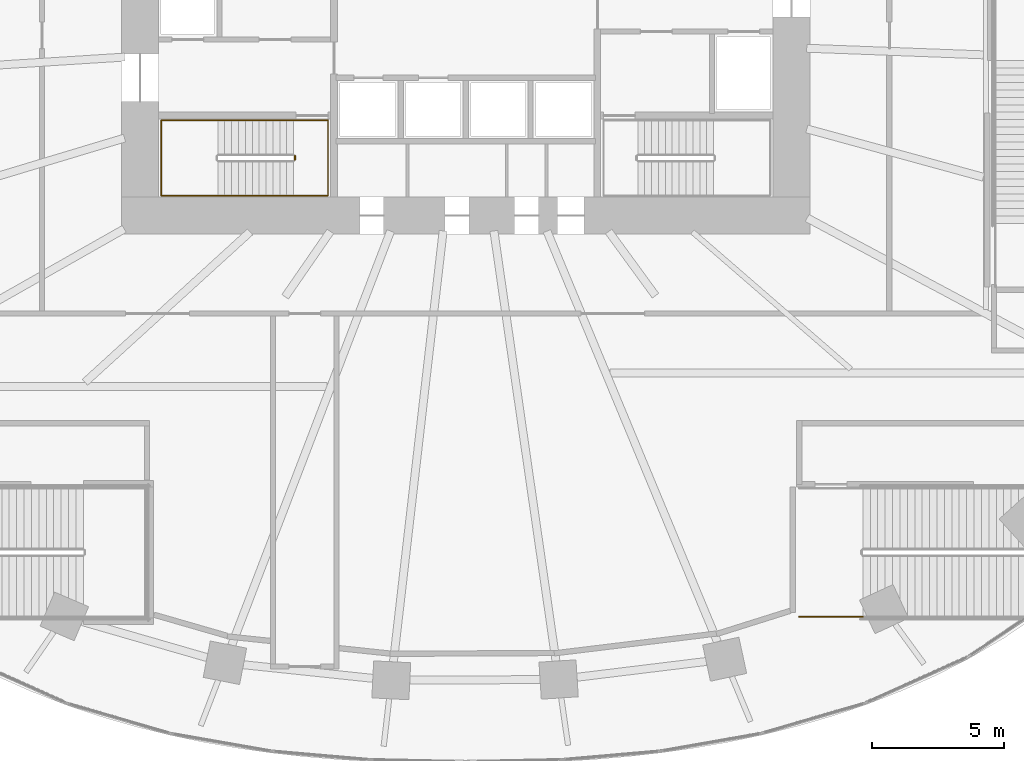
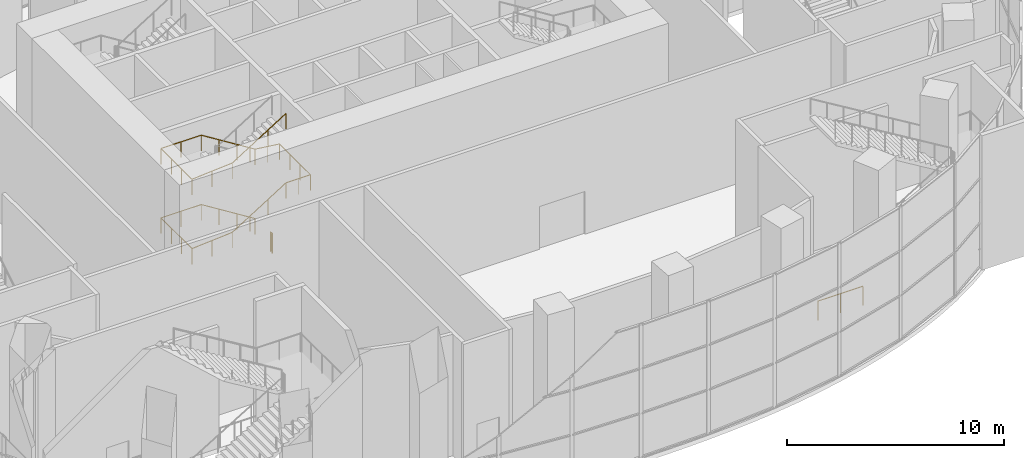
# One storey, part 19 of 22: 3 railings.
"""IFC4 building model written with IfcOpenShell, lengths in metres."""

import ifcopenshell
import ifcopenshell.guid

model = None  # the IFC model being written
_history = None  # IfcOwnerHistory: only IFC2X3 demands one
_inside = {}  # id of a spatial element -> (the spatial element, [elements in it])
_under = {}  # id of a project, library or spatial element -> (it, [spatial elements below it])
_declared = {}  # id of a project -> (the project, [libraries it declares])
_typed = {}  # id of a type object -> (the type object, [elements of that type])
_made_of = {}  # id of a material, layer set ... -> (it, [elements and type objects made of it])


def new_model(schema):
    """Start an empty IFC model of exactly this schema.

    Asked for "IFC4X3", IfcOpenShell would pick the latest addendum, in which some entities
    have other attributes; the version numbers below select the first issue.
    IFC2X3 requires an IfcOwnerHistory on every rooted entity: one is made here for all.
    """
    global model, _history
    if schema == "IFC4X3":
        model = ifcopenshell.file(schema_version=(4, 3, 0, 0))
    else:
        model = ifcopenshell.file(schema=schema)
    _inside.clear()
    _under.clear()
    _declared.clear()
    _typed.clear()
    _made_of.clear()
    _history = None
    if model.schema == "IFC2X3":
        org = make("IfcOrganization", Name="unknown")
        user = make(
            "IfcPersonAndOrganization",
            ThePerson=make("IfcPerson", FamilyName="unknown"),
            TheOrganization=org,
        )
        app = make(
            "IfcApplication",
            ApplicationDeveloper=org,
            Version="unknown",
            ApplicationFullName="unknown",
            ApplicationIdentifier="unknown",
        )
        _history = make(
            "IfcOwnerHistory",
            OwningUser=user,
            OwningApplication=app,
            ChangeAction="ADDED",
            CreationDate=0,
        )
    return model


def make(cls, **values):
    """One entity of the class cls with the attributes given. An attribute that is None is left unset."""
    return model.create_entity(
        cls, **{name: value for name, value in values.items() if value is not None}
    )


def rooted(cls, **values):
    """An entity with a GlobalId (a new one), such as an element, a storey or a relation."""
    return make(cls, GlobalId=ifcopenshell.guid.new(), OwnerHistory=_history, **values)


def si_unit(unit_type, name, prefix=None):
    """IfcSIUnit, for example si_unit("LENGTHUNIT", "METRE", prefix="MILLI")."""
    return make("IfcSIUnit", UnitType=unit_type, Prefix=prefix, Name=name)


def assignment(units):
    """IfcUnitAssignment: the units of a project."""
    return None if units is None else make("IfcUnitAssignment", Units=units)


def point(xyz):
    """IfcCartesianPoint."""
    return None if xyz is None else make("IfcCartesianPoint", Coordinates=xyz)


def direction(xyz):
    """IfcDirection."""
    return None if xyz is None else make("IfcDirection", DirectionRatios=xyz)


def frame(location, z_axis=None, x_axis=None):
    """IfcAxis2Placement3D, a coordinate frame: its origin and axes. An axis left out is left unset."""
    return make(
        "IfcAxis2Placement3D",
        Location=point(location),
        Axis=direction(z_axis),
        RefDirection=direction(x_axis),
    )


def frame_2d(location, x_axis=None):
    """IfcAxis2Placement2D, a coordinate frame in the plane: its origin and x axis."""
    return make(
        "IfcAxis2Placement2D", Location=point(location), RefDirection=direction(x_axis)
    )


def origin():
    """The frame at (0, 0, 0) with its axes left unset."""
    return frame((0.0, 0.0, 0.0))


def origin_2d():
    """The frame at (0, 0) in the plane with its x axis left unset."""
    return frame_2d((0.0, 0.0))


def place(relative_to, where):
    """IfcLocalPlacement: puts the frame where relative to a parent placement (None: the world)."""
    return make(
        "IfcLocalPlacement", PlacementRelTo=relative_to, RelativePlacement=where
    )


def context(
    kind, dimensions, precision=None, world=None, true_north=None, identifier=None
):
    """IfcGeometricRepresentationContext, for example the 3D "Model" context."""
    return make(
        "IfcGeometricRepresentationContext",
        ContextIdentifier=identifier,
        ContextType=kind,
        CoordinateSpaceDimension=dimensions,
        Precision=precision,
        WorldCoordinateSystem=world,
        TrueNorth=true_north,
    )


def subcontext(parent, identifier, kind, view, scale=None):
    """IfcGeometricRepresentationSubContext, for example "Body" below "Model"."""
    return make(
        "IfcGeometricRepresentationSubContext",
        ContextIdentifier=identifier,
        ContextType=kind,
        ParentContext=parent,
        TargetScale=scale,
        TargetView=view,
    )


def project(units=None, contexts=None):
    """IfcProject with its units and contexts."""
    return rooted(
        "IfcProject",
        Name="project",
        RepresentationContexts=contexts,
        UnitsInContext=assignment(units),
    )


def spatial(cls, under=None, at=None, **own):
    """A site, building, storey or space (cls), placed at a placement, below another one or the project."""
    s = rooted(cls, ObjectPlacement=at, **own)
    if under is not None:
        _under.setdefault(under.id(), (under, []))[1].append(s)
    return s


def profile(cls, at=None, kind="AREA", **sizes):
    """A parametric profile (cls). Its sizes go by their IFC names, for example OverallWidth=200.0."""
    return make(cls, ProfileType=kind, Position=at, **sizes)


def circle(**sizes):
    """IfcCircleProfileDef."""
    return profile("IfcCircleProfileDef", **sizes)


def extrude(swept, where, along, depth):
    """IfcExtrudedAreaSolid: the profile swept, set in the frame where, extruded along a direction by depth."""
    return make(
        "IfcExtrudedAreaSolid",
        SweptArea=swept,
        Position=where,
        ExtrudedDirection=direction(along),
        Depth=depth,
    )


def shape(context_of_items, identifier, shape_type, items):
    """IfcShapeRepresentation: the items that make up one representation, for example the "Body"."""
    return make(
        "IfcShapeRepresentation",
        ContextOfItems=context_of_items,
        RepresentationIdentifier=identifier,
        RepresentationType=shape_type,
        Items=items,
    )


def material(Name=None, Category=None):
    """IfcMaterial."""
    return make("IfcMaterial", Name=Name, Category=Category)


def made_of(thing, what):
    """Note that an element or type object is made of a material, layer set ...; save() writes the relation."""
    if what is not None:
        _made_of.setdefault(what.id(), (what, []))[1].append(thing)
    return thing


def type_object(cls, material=None, **own):
    """A type object (cls), such as IfcWallType, which elements share."""
    return made_of(rooted(cls, **own), material)


def element(
    cls,
    number,
    at=None,
    inside=None,
    cuts=None,
    type_object=None,
    material=None,
    context=None,
    identifier="Body",
    shape_type=None,
    held_by="IfcProductDefinitionShape",
    body=None,
    shapes=None,
    **own,
):
    """One element of the class cls, such as IfcWall. Its Tag is "e" and its number.

    at: its placement. inside: the storey or other place that contains it. cuts: it is an
    opening in that element (IfcRelVoidsElement). A single representation is given by context,
    identifier, shape_type and body (its items); several are given by shapes. held_by: the class
    of the entity that holds the representations. save() writes the other relations.
    """
    e = rooted(cls, Tag="e%d" % number, ObjectPlacement=at, **own)
    if body is not None:
        shapes = [shape(context, identifier, shape_type, body)]
    if shapes is not None:
        e.Representation = make(held_by, Representations=shapes)
    if inside is not None:
        _inside.setdefault(inside.id(), (inside, []))[1].append(e)
    if cuts is not None:
        rooted(
            "IfcRelVoidsElement", RelatingBuildingElement=cuts, RelatedOpeningElement=e
        )
    if type_object is not None:
        _typed.setdefault(type_object.id(), (type_object, []))[1].append(e)
    return made_of(e, material)


def aggregate(whole, parts):
    """IfcRelAggregates: a whole, such as a stair, and the parts it consists of."""
    return rooted("IfcRelAggregates", RelatingObject=whole, RelatedObjects=parts)


def save(model, path):
    """Write the relations noted so far, then the file.

    IfcRelAggregates (storeys below a building ...), IfcRelContainedInSpatialStructure (elements
    in a storey), IfcRelDefinesByType, IfcRelAssociatesMaterial and IfcRelDeclares: one each for
    every whole, place, type object, material and project.
    """
    for whole, parts in _under.values():
        aggregate(whole, parts)
    for where, things in _inside.values():
        rooted(
            "IfcRelContainedInSpatialStructure",
            RelatedElements=things,
            RelatingStructure=where,
        )
    for kind, things in _typed.values():
        rooted("IfcRelDefinesByType", RelatedObjects=things, RelatingType=kind)
    for what, things in _made_of.values():
        rooted("IfcRelAssociatesMaterial", RelatedObjects=things, RelatingMaterial=what)
    for by, libraries in _declared.values():
        rooted("IfcRelDeclares", RelatingContext=by, RelatedDefinitions=libraries)
    model.write(path)


model = new_model("IFC4")

# Units and contexts
model_context = context("Model", 3, precision=1e-05, world=origin(), true_north=direction((0.0, 1.0)))
body_context = subcontext(model_context, "Body", "Model", "MODEL_VIEW")
ifc_project = project(units=[si_unit("LENGTHUNIT", "METRE"), si_unit("AREAUNIT", "SQUARE_METRE"), si_unit("VOLUMEUNIT", "CUBIC_METRE"), si_unit("PLANEANGLEUNIT", "RADIAN"), si_unit("MASSUNIT", "GRAM", prefix="KILO")], contexts=[model_context])

# Site, building, storey
site_placement = place(None, origin())
site = spatial("IfcSite", under=ifc_project, at=site_placement, CompositionType="ELEMENT")
building_placement = place(site_placement, origin())
building = spatial("IfcBuilding", under=site, at=building_placement, Name="Rubra Terraces Tower", CompositionType="ELEMENT")
storey_placement = place(building_placement, frame((0.0, 0.0, 15.0)))
storey = spatial("IfcBuildingStorey", under=building, at=storey_placement, Name="L02", CompositionType="ELEMENT", Elevation=15.0)

# Railings
ifc_material = material(Name="Stainless steel", Category="steel")
railing_type_1 = type_object("IfcRailingType", Name="Core stair guard 1100", PredefinedType="GUARDRAIL", material=ifc_material)
railing_1_placement = place(storey_placement, frame((-6.449951171875, -0.050048828125, 0.0)))
element("IfcRailing", 1, at=railing_1_placement, inside=storey, type_object=railing_type_1, Name="L02 stair S1 guard 2", PredefinedType="GUARDRAIL", context=body_context, shape_type="SweptSolid", body=[
    extrude(circle(Radius=0.02392578125, at=origin_2d()), frame((0.0, 0.0, 1.076171875), z_axis=(0.0, -1.0, 0.0), x_axis=(1.0, 0.0, 0.0)), (0.0, 0.0, 1.0), 0.14990234375),
    extrude(circle(Radius=0.02099609375, at=origin_2d()), origin(), (0.0, 0.0, 1.0), 1.052001953125),
    extrude(circle(Radius=0.02099609375, at=origin_2d()), frame((0.0, -0.14990234375, 0.0)), (0.0, 0.0, 1.0), 1.052001953125),
])
railing_type_2 = type_object("IfcRailingType", Name="Core stair handrail 900", PredefinedType="HANDRAIL", material=ifc_material)
railing_2_placement = place(storey_placement, frame((-6.5, 1.300048828125, 0.16259765625)))
element("IfcRailing", 2, at=railing_2_placement, inside=storey, type_object=railing_type_2, Name="L02 stair S1 handrail 1", PredefinedType="HANDRAIL", context=body_context, shape_type="SweptSolid", body=[
    extrude(circle(Radius=0.02392578125, at=origin_2d()), frame((0.0, 0.0, 0.8759765625), z_axis=(-0.848026770018, 0.0, 0.529953391661), x_axis=(0.0, -1.0, 0.0)), (0.0, 0.0, 1.0), 3.37255859375),
    extrude(circle(Radius=0.02392578125, at=origin_2d()), frame((-2.860107421875, 0.0, 2.6630859375), z_axis=(-1.0, 0.0, 0.0), x_axis=(0.0, -1.0, 0.0)), (0.0, 0.0, 1.0), 2.139892578125),
    extrude(circle(Radius=0.02392578125, at=origin_2d()), frame((-5.0, 0.0, 2.6630859375), z_axis=(0.0, -1.0, 0.0), x_axis=(1.0, 0.0, 0.0)), (0.0, 0.0, 1.0), 2.85009765625),
    extrude(circle(Radius=0.02392578125, at=origin_2d()), frame((-5.0, -2.85009765625, 2.6630859375), z_axis=(0.997125654253, 0.0, 0.075765623016), x_axis=(0.0, 1.0, 0.0)), (0.0, 0.0, 1.0), 2.14599609375),
    extrude(circle(Radius=0.02392578125, at=origin_2d()), frame((-2.860107421875, -2.85009765625, 2.82568359375), z_axis=(0.848026770018, 0.0, 0.529953391661), x_axis=(0.0, 1.0, 0.0)), (0.0, 0.0, 1.0), 3.37255859375),
    extrude(circle(Radius=0.02392578125, at=origin_2d()), frame((0.0, -2.85009765625, 4.61328125), z_axis=(1.0, 0.0, 0.0), x_axis=(0.0, 1.0, 0.0)), (0.0, 0.0, 1.0), 1.300048828125),
    extrude(circle(Radius=0.02392578125, at=origin_2d()), frame((1.300048828125, -2.85009765625, 4.61328125), z_axis=(0.0, 1.0, 0.0), x_axis=(-1.0, 0.0, 0.0)), (0.0, 0.0, 1.0), 2.85009765625),
    extrude(circle(Radius=0.02392578125, at=origin_2d()), frame((1.300048828125, 0.0, 4.61328125), z_axis=(-0.992269273945, 0.0, 0.124103537361), x_axis=(0.0, -1.0, 0.0)), (0.0, 0.0, 1.0), 1.31005859375),
    extrude(circle(Radius=0.02392578125, at=origin_2d()), frame((0.0, 0.0, 4.77587890625), z_axis=(-0.847994237388, 0.0, 0.530005446535), x_axis=(0.0, -1.0, 0.0)), (0.0, 0.0, 1.0), 3.372802734375),
    extrude(circle(Radius=0.02392578125, at=origin_2d()), frame((-2.860107421875, 0.0, 6.5634765625), z_axis=(-1.0, 0.0, 0.0), x_axis=(0.0, -1.0, 0.0)), (0.0, 0.0, 1.0), 2.139892578125),
    extrude(circle(Radius=0.02392578125, at=origin_2d()), frame((-5.0, 0.0, 6.5634765625), z_axis=(0.0, -1.0, 0.0), x_axis=(1.0, 0.0, 0.0)), (0.0, 0.0, 1.0), 2.85009765625),
    extrude(circle(Radius=0.02392578125, at=origin_2d()), frame((-5.0, -2.85009765625, 6.5634765625), z_axis=(0.9971342424, 0.0, 0.075652512401), x_axis=(0.0, 1.0, 0.0)), (0.0, 0.0, 1.0), 2.14599609375),
    extrude(circle(Radius=0.02392578125, at=origin_2d()), frame((-2.860107421875, -2.85009765625, 6.7255859375), z_axis=(0.847994237388, 0.0, 0.530005446535), x_axis=(0.0, 1.0, 0.0)), (0.0, 0.0, 1.0), 3.372802734375),
    extrude(circle(Radius=0.02099609375, at=origin_2d()), origin(), (0.0, 0.0, 1.0), 0.851806640625),
    extrude(circle(Radius=0.02099609375, at=origin_2d()), frame((-0.953369140625, 0.0, 0.595703125)), (0.0, 0.0, 1.0), 0.851806640625),
    extrude(circle(Radius=0.02099609375, at=origin_2d()), frame((-1.90673828125, 0.0, 1.191650390625)), (0.0, 0.0, 1.0), 0.851806640625),
    extrude(circle(Radius=0.02099609375, at=origin_2d()), frame((-2.860107421875, 0.0, 1.787353515625)), (0.0, 0.0, 1.0), 0.851806640625),
    extrude(circle(Radius=0.02099609375, at=origin_2d()), frame((-3.93017578125, 0.0, 1.787353515625)), (0.0, 0.0, 1.0), 0.851806640625),
    extrude(circle(Radius=0.02099609375, at=origin_2d()), frame((-5.0, 0.0, 1.787353515625)), (0.0, 0.0, 1.0), 0.851806640625),
    extrude(circle(Radius=0.02099609375, at=origin_2d()), frame((-5.0, -0.949951171875, 1.787353515625)), (0.0, 0.0, 1.0), 0.851806640625),
    extrude(circle(Radius=0.02099609375, at=origin_2d()), frame((-5.0, -1.900146484375, 1.787353515625)), (0.0, 0.0, 1.0), 0.851806640625),
    extrude(circle(Radius=0.02099609375, at=origin_2d()), frame((-5.0, -2.85009765625, 1.787353515625)), (0.0, 0.0, 1.0), 0.851806640625),
    extrude(circle(Radius=0.02099609375, at=origin_2d()), frame((-3.93017578125, -2.85009765625, 1.86865234375)), (0.0, 0.0, 1.0), 0.851806640625),
    extrude(circle(Radius=0.02099609375, at=origin_2d()), frame((-2.860107421875, -2.85009765625, 1.949951171875)), (0.0, 0.0, 1.0), 0.851806640625),
    extrude(circle(Radius=0.02099609375, at=origin_2d()), frame((-1.90673828125, -2.85009765625, 2.545654296875)), (0.0, 0.0, 1.0), 0.851806640625),
    extrude(circle(Radius=0.02099609375, at=origin_2d()), frame((-0.953369140625, -2.85009765625, 3.1416015625)), (0.0, 0.0, 1.0), 0.851806640625),
    extrude(circle(Radius=0.02099609375, at=origin_2d()), frame((0.0, -2.85009765625, 3.7373046875)), (0.0, 0.0, 1.0), 0.851806640625),
    extrude(circle(Radius=0.02099609375, at=origin_2d()), frame((0.64990234375, -2.85009765625, 3.7373046875)), (0.0, 0.0, 1.0), 0.851806640625),
    extrude(circle(Radius=0.02099609375, at=origin_2d()), frame((1.300048828125, -2.85009765625, 3.7373046875)), (0.0, 0.0, 1.0), 0.851806640625),
    extrude(circle(Radius=0.02099609375, at=origin_2d()), frame((1.300048828125, -1.900146484375, 3.7373046875)), (0.0, 0.0, 1.0), 0.851806640625),
    extrude(circle(Radius=0.02099609375, at=origin_2d()), frame((1.300048828125, -0.949951171875, 3.7373046875)), (0.0, 0.0, 1.0), 0.851806640625),
    extrude(circle(Radius=0.02099609375, at=origin_2d()), frame((1.300048828125, 0.0, 3.7373046875)), (0.0, 0.0, 1.0), 0.851806640625),
    extrude(circle(Radius=0.02099609375, at=origin_2d()), frame((0.64990234375, 0.0, 3.818603515625)), (0.0, 0.0, 1.0), 0.851806640625),
    extrude(circle(Radius=0.02099609375, at=origin_2d()), frame((0.0, 0.0, 3.89990234375)), (0.0, 0.0, 1.0), 0.851806640625),
    extrude(circle(Radius=0.02099609375, at=origin_2d()), frame((-0.953369140625, 0.0, 4.495849609375)), (0.0, 0.0, 1.0), 0.851806640625),
    extrude(circle(Radius=0.02099609375, at=origin_2d()), frame((-1.90673828125, 0.0, 5.091552734375)), (0.0, 0.0, 1.0), 0.851806640625),
    extrude(circle(Radius=0.02099609375, at=origin_2d()), frame((-2.860107421875, 0.0, 5.6875)), (0.0, 0.0, 1.0), 0.851806640625),
    extrude(circle(Radius=0.02099609375, at=origin_2d()), frame((-3.93017578125, 0.0, 5.6875)), (0.0, 0.0, 1.0), 0.851806640625),
    extrude(circle(Radius=0.02099609375, at=origin_2d()), frame((-5.0, 0.0, 5.6875)), (0.0, 0.0, 1.0), 0.851806640625),
    extrude(circle(Radius=0.02099609375, at=origin_2d()), frame((-5.0, -0.949951171875, 5.6875)), (0.0, 0.0, 1.0), 0.851806640625),
    extrude(circle(Radius=0.02099609375, at=origin_2d()), frame((-5.0, -1.900146484375, 5.6875)), (0.0, 0.0, 1.0), 0.851806640625),
    extrude(circle(Radius=0.02099609375, at=origin_2d()), frame((-5.0, -2.85009765625, 5.6875)), (0.0, 0.0, 1.0), 0.851806640625),
    extrude(circle(Radius=0.02099609375, at=origin_2d()), frame((-3.93017578125, -2.85009765625, 5.7685546875)), (0.0, 0.0, 1.0), 0.851806640625),
    extrude(circle(Radius=0.02099609375, at=origin_2d()), frame((-2.860107421875, -2.85009765625, 5.849853515625)), (0.0, 0.0, 1.0), 0.851806640625),
    extrude(circle(Radius=0.02099609375, at=origin_2d()), frame((-1.90673828125, -2.85009765625, 6.44580078125)), (0.0, 0.0, 1.0), 0.851806640625),
    extrude(circle(Radius=0.02099609375, at=origin_2d()), frame((-0.953369140625, -2.85009765625, 7.04150390625)), (0.0, 0.0, 1.0), 0.851806640625),
    extrude(circle(Radius=0.02099609375, at=origin_2d()), frame((0.0, -2.85009765625, 7.637451171875)), (0.0, 0.0, 1.0), 0.851806640625),
])
railing_type_3 = type_object("IfcRailingType", Name="Public stair guard 1100", PredefinedType="GUARDRAIL", material=ifc_material)
railing_3_placement = place(storey_placement, frame((12.60009765625, -17.449951171875, 0.0)))
element("IfcRailing", 3, at=railing_3_placement, inside=storey, type_object=railing_type_3, Name="L02 PS4 stair guard 8", PredefinedType="GUARDRAIL", context=body_context, shape_type="SweptSolid", body=[
    extrude(circle(Radius=0.02392578125, at=origin_2d()), frame((0.0, 0.0, 1.076171875), z_axis=(1.0, 0.0, 0.0), x_axis=(0.0, 1.0, 0.0)), (0.0, 0.0, 1.0), 2.39990234375),
    extrude(circle(Radius=0.02099609375, at=origin_2d()), origin(), (0.0, 0.0, 1.0), 1.052001953125),
    extrude(circle(Radius=0.02099609375, at=origin_2d()), frame((1.199951171875, 0.0, 0.0)), (0.0, 0.0, 1.0), 1.052001953125),
    extrude(circle(Radius=0.02099609375, at=origin_2d()), frame((2.39990234375, 0.0, 0.0)), (0.0, 0.0, 1.0), 1.052001953125),
])

save(model, "model.ifc")
